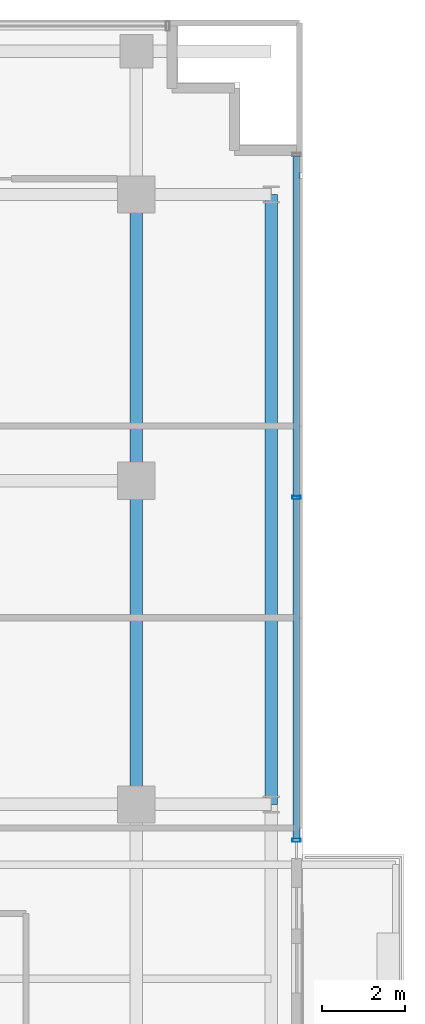
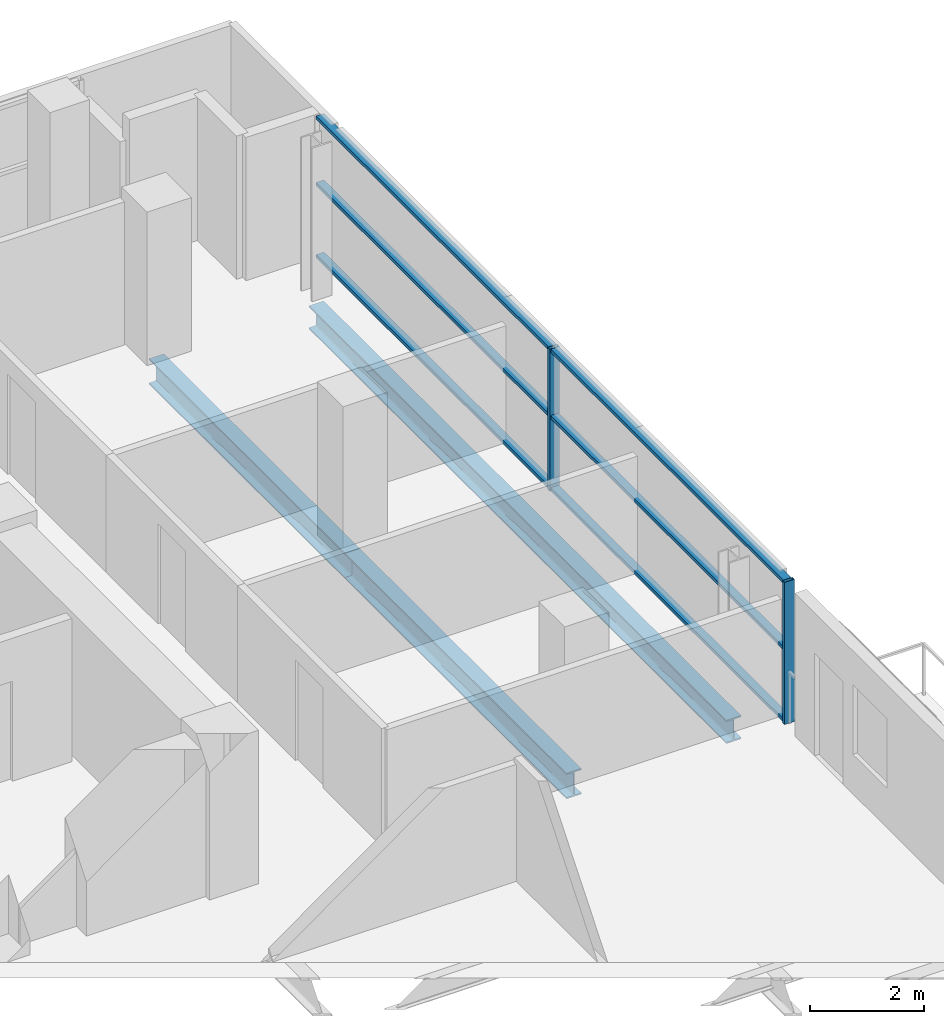
# One storey, part 13 of 25: 8 members, 3 beams, 1 element without a shape of its own.
"""IFC4 building model written with IfcOpenShell, lengths in metres."""

from ifc_helpers import new_model, si_unit, direction, frame, origin, origin_2d, place, context, subcontext, project, spatial, hollow_rectangle, i_section, extrude, source, transform, mapped, material, layer, layer_set, material_profile, profile_set, type_object, element, aggregate, save


model = new_model("IFC4")

# Units and contexts
model_context = context("Model", 3, precision=1e-05, world=origin(), true_north=direction((0.0, 1.0)))
body_context = subcontext(model_context, "Body", "Model", "MODEL_VIEW")
ifc_project = project(units=[si_unit("LENGTHUNIT", "METRE"), si_unit("AREAUNIT", "SQUARE_METRE"), si_unit("VOLUMEUNIT", "CUBIC_METRE"), si_unit("PLANEANGLEUNIT", "RADIAN"), si_unit("MASSUNIT", "GRAM", prefix="KILO")], contexts=[model_context])

# Site, building, storey
site_placement = place(None, origin())
site = spatial("IfcSite", under=ifc_project, at=site_placement, CompositionType="ELEMENT")
building_placement = place(site_placement, origin())
building = spatial("IfcBuilding", under=site, at=building_placement, Name="Zarnakvel Exchange Tower", CompositionType="ELEMENT")
storey_placement = place(building_placement, frame((0.0, 0.0, 93.39990234375)))
storey = spatial("IfcBuildingStorey", under=building, at=storey_placement, Name="L25", CompositionType="ELEMENT", Elevation=93.39990234375)

# Beams
ifc_material_1 = material(Name="Steel S355", Category="steel")
ifc_material_profile_1 = material_profile(ifc_material_1, i_section(OverallWidth=0.300048828125, OverallDepth=0.550048828125, WebThickness=0.014892578125, FlangeThickness=0.029052734375, FilletRadius=0.027099609375, at=origin_2d()))
ifc_profile_set_1 = profile_set([ifc_material_profile_1], Name="Steel S355")
beam_type_1 = type_object("IfcBeamType", Name="G-05", PredefinedType="BEAM", material=ifc_profile_set_1)
beam_1_placement = place(storey_placement, frame((21.60009765625, -1.199951171875, -0.5), z_axis=(0.0, 1.0, 0.0), x_axis=(-1.0, 0.0, 0.0)))
element("IfcBeam", 1, at=beam_1_placement, inside=storey, type_object=beam_type_1, Name="L25 Tower N-S Frame Beam", PredefinedType="BEAM", context=body_context, shape_type="SweptSolid", body=[
    extrude(i_section(OverallWidth=0.300048828125, OverallDepth=0.550048828125, WebThickness=0.014892578125, FlangeThickness=0.029052734375, FilletRadius=0.027099609375, at=origin_2d()), origin(), (0.0, 0.0, 1.0), 7.800048828125),
])
beam_2_placement = place(storey_placement, frame((21.60009765625, 6.60009765625, -0.5), z_axis=(0.0, 1.0, 0.0), x_axis=(-1.0, 0.0, 0.0)))
element("IfcBeam", 2, at=beam_2_placement, inside=storey, type_object=beam_type_1, Name="L25 Tower N-S Frame Beam", PredefinedType="BEAM", context=body_context, shape_type="SweptSolid", body=[
    extrude(i_section(OverallWidth=0.300048828125, OverallDepth=0.550048828125, WebThickness=0.014892578125, FlangeThickness=0.029052734375, FilletRadius=0.027099609375, at=origin_2d()), origin(), (0.0, 0.0, 1.0), 6.89990234375),
])
ifc_material_profile_2 = material_profile(ifc_material_1, i_section(OverallWidth=0.300048828125, OverallDepth=0.5, WebThickness=0.014404296875, FlangeThickness=0.028076171875, FilletRadius=0.027099609375, at=origin_2d()))
ifc_profile_set_2 = profile_set([ifc_material_profile_2], Name="Steel S355")
beam_type_2 = type_object("IfcBeamType", Name="SP-02", PredefinedType="SPANDREL", material=ifc_profile_set_2)
beam_3_placement = place(storey_placement, frame((24.85009765625, -1.199951171875, -0.474853515625), z_axis=(0.0, 1.0, 0.0), x_axis=(-1.0, 0.0, 0.0)))
element("IfcBeam", 3, at=beam_3_placement, inside=storey, type_object=beam_type_2, Name="L25 Tower N-S Frame Beam", PredefinedType="SPANDREL", context=body_context, shape_type="SweptSolid", body=[
    extrude(i_section(OverallWidth=0.300048828125, OverallDepth=0.5, WebThickness=0.014404296875, FlangeThickness=0.028076171875, FilletRadius=0.027099609375, at=origin_2d()), origin(), (0.0, 0.0, 1.0), 14.699951171875),
])

# Curtain wall, members
ifc_material_2 = material(Name="Architectural Bronze Anodised Aluminium", Category="aluminium")
ifc_layer = layer(ifc_material_2, 0.199951171875)
ifc_layer_set = layer_set([ifc_layer], Name="Architectural Bronze Anodised Aluminium")
curtain_wall_type = type_object("IfcCurtainWallType", Name="CW-04", PredefinedType="NOTDEFINED", material=ifc_layer_set)
curtain_wall_placement = place(storey_placement, origin())
curtain_wall = element("IfcCurtainWall", 4, at=curtain_wall_placement, inside=storey, type_object=curtain_wall_type, Name="L25 Curtain Wall CW-L25-EN (CW-04)", PredefinedType="NOTDEFINED")
ifc_material_profile_3 = material_profile(ifc_material_2, hollow_rectangle(XDim=0.199951171875, YDim=0.074951171875, WallThickness=0.0048828125, at=origin_2d()))
ifc_profile_set_3 = profile_set([ifc_material_profile_3], Name="Architectural Bronze Anodised Aluminium")
member_type_1 = type_object("IfcMemberType", Name="CWM-04", PredefinedType="MULLION", material=ifc_profile_set_3)
shared_shape_1 = source(origin(), body_context, "Body", "SweptSolid", [
    extrude(hollow_rectangle(XDim=0.199951171875, YDim=0.074951171875, WallThickness=0.0048828125, at=origin_2d()), origin(), (0.0, 0.0, 1.0), 3.05517578125),
])
member_1_placement = place(storey_placement, frame((25.4599609375, -2.0625, 0.0), z_axis=(0.0, 0.0, 1.0), x_axis=(-1.0, 0.0, 0.0)))
member_1 = element("IfcMember", 5, at=member_1_placement, type_object=member_type_1, Name="CW-04 mullion 1", PredefinedType="MULLION", context=body_context, shape_type="MappedRepresentation", body=[
    mapped(shared_shape_1, transform((0.0, 0.0, 0.0), x_axis=(1.0, 0.0, 0.0), y_axis=(0.0, 1.0, 0.0), z_axis=(0.0, 0.0, 1.0), scale=1.0)),
])
member_2_placement = place(storey_placement, frame((25.4599609375, 6.199951171875, 0.0), z_axis=(0.0, 0.0, 1.0), x_axis=(-1.0, 0.0, 0.0)))
member_2 = element("IfcMember", 6, at=member_2_placement, type_object=member_type_1, Name="CW-04 mullion 2", PredefinedType="MULLION", context=body_context, shape_type="MappedRepresentation", body=[
    mapped(shared_shape_1, transform((0.0, 0.0, 0.0), x_axis=(1.0, 0.0, 0.0), y_axis=(0.0, 1.0, 0.0), z_axis=(0.0, 0.0, 1.0), scale=1.0)),
])
ifc_material_profile_4 = material_profile(ifc_material_2, hollow_rectangle(XDim=0.159912109375, YDim=0.074951171875, WallThickness=0.00390625, at=origin_2d()))
ifc_profile_set_4 = profile_set([ifc_material_profile_4], Name="Architectural Bronze Anodised Aluminium")
member_type_2 = type_object("IfcMemberType", Name="CWT-04", PredefinedType="USERDEFINED", material=ifc_profile_set_4)
shared_shape_2 = source(origin(), body_context, "Body", "SweptSolid", [
    extrude(hollow_rectangle(XDim=0.159912109375, YDim=0.074951171875, WallThickness=0.00390625, at=origin_2d()), origin(), (0.0, 0.0, 1.0), 8.1875),
])
member_3_placement = place(storey_placement, frame((25.4599609375, -2.02490234375, 0.03759765625), z_axis=(0.0, 1.0, 0.0), x_axis=(-1.0, 0.0, 0.0)))
member_3 = element("IfcMember", 7, at=member_3_placement, type_object=member_type_2, Name="CW-04 transom 1.1", ObjectType="TRANSOM", PredefinedType="USERDEFINED", context=body_context, shape_type="MappedRepresentation", body=[
    mapped(shared_shape_2, transform((0.0, 0.0, 0.0), x_axis=(1.0, 0.0, 0.0), y_axis=(0.0, 1.0, 0.0), z_axis=(0.0, 0.0, 1.0), scale=1.0)),
])
member_4_placement = place(storey_placement, frame((25.4599609375, -2.02490234375, 1.588623046875), z_axis=(0.0, 1.0, 0.0), x_axis=(-1.0, 0.0, 0.0)))
member_4 = element("IfcMember", 8, at=member_4_placement, type_object=member_type_2, Name="CW-04 transom 1.2", ObjectType="TRANSOM", PredefinedType="USERDEFINED", context=body_context, shape_type="MappedRepresentation", body=[
    mapped(shared_shape_2, transform((0.0, 0.0, 0.0), x_axis=(1.0, 0.0, 0.0), y_axis=(0.0, 1.0, 0.0), z_axis=(0.0, 0.0, 1.0), scale=1.0)),
])
member_5_placement = place(storey_placement, frame((25.4599609375, -2.02490234375, 3.017578125), z_axis=(0.0, 1.0, 0.0), x_axis=(-1.0, 0.0, 0.0)))
member_5 = element("IfcMember", 9, at=member_5_placement, type_object=member_type_2, Name="CW-04 transom 1.3", ObjectType="TRANSOM", PredefinedType="USERDEFINED", context=body_context, shape_type="MappedRepresentation", body=[
    mapped(shared_shape_2, transform((0.0, 0.0, 0.0), x_axis=(1.0, 0.0, 0.0), y_axis=(0.0, 1.0, 0.0), z_axis=(0.0, 0.0, 1.0), scale=1.0)),
])
member_6_placement = place(storey_placement, frame((25.4599609375, 6.237548828125, 0.03759765625), z_axis=(0.0, 1.0, 0.0), x_axis=(-1.0, 0.0, 0.0)))
member_6 = element("IfcMember", 10, at=member_6_placement, type_object=member_type_2, Name="CW-04 transom 2.1", ObjectType="TRANSOM", PredefinedType="USERDEFINED", context=body_context, shape_type="MappedRepresentation", body=[
    mapped(shared_shape_2, transform((0.0, 0.0, 0.0), x_axis=(1.0, 0.0, 0.0), y_axis=(0.0, 1.0, 0.0), z_axis=(0.0, 0.0, 1.0), scale=1.0)),
])
member_7_placement = place(storey_placement, frame((25.4599609375, 6.237548828125, 1.588623046875), z_axis=(0.0, 1.0, 0.0), x_axis=(-1.0, 0.0, 0.0)))
member_7 = element("IfcMember", 11, at=member_7_placement, type_object=member_type_2, Name="CW-04 transom 2.2", ObjectType="TRANSOM", PredefinedType="USERDEFINED", context=body_context, shape_type="MappedRepresentation", body=[
    mapped(shared_shape_2, transform((0.0, 0.0, 0.0), x_axis=(1.0, 0.0, 0.0), y_axis=(0.0, 1.0, 0.0), z_axis=(0.0, 0.0, 1.0), scale=1.0)),
])
member_8_placement = place(storey_placement, frame((25.4599609375, 6.237548828125, 3.017578125), z_axis=(0.0, 1.0, 0.0), x_axis=(-1.0, 0.0, 0.0)))
member_8 = element("IfcMember", 12, at=member_8_placement, type_object=member_type_2, Name="CW-04 transom 2.3", ObjectType="TRANSOM", PredefinedType="USERDEFINED", context=body_context, shape_type="MappedRepresentation", body=[
    mapped(shared_shape_2, transform((0.0, 0.0, 0.0), x_axis=(1.0, 0.0, 0.0), y_axis=(0.0, 1.0, 0.0), z_axis=(0.0, 0.0, 1.0), scale=1.0)),
])
aggregate(curtain_wall, [member_1, member_2, member_3, member_4, member_5, member_6, member_7, member_8])

save(model, "model.ifc")
